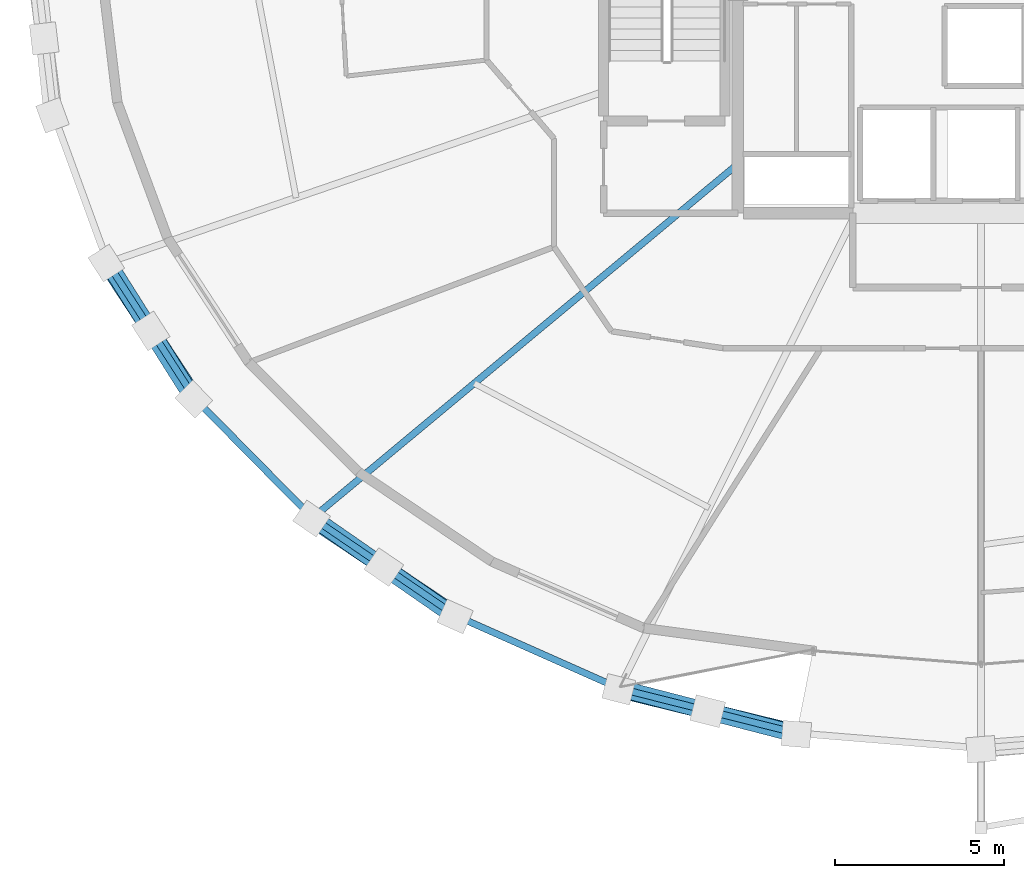
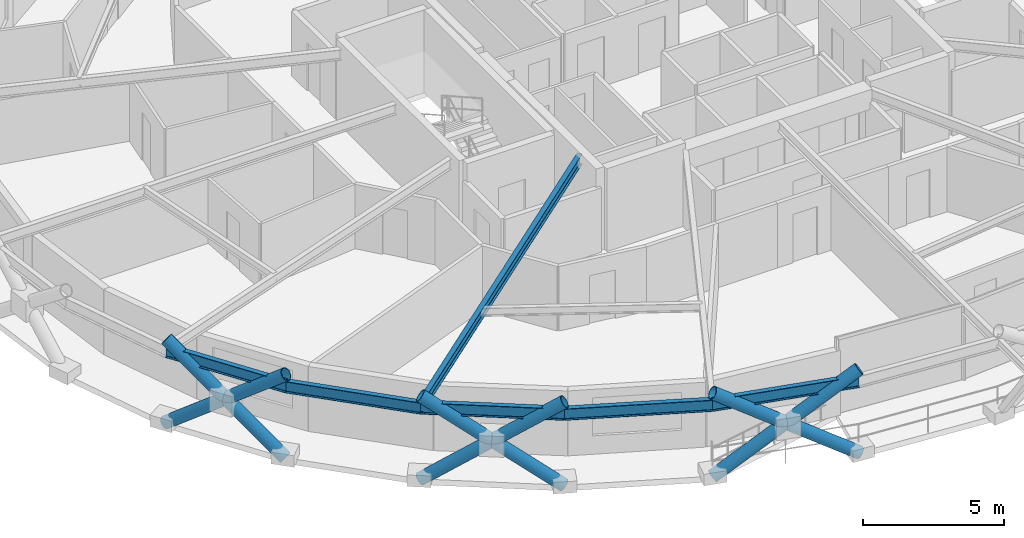
# One storey, part 1 of 20: 9 members, 6 beams.
"""IFC4 building model written with IfcOpenShell, lengths in metres."""

from ifc_helpers import new_model, si_unit, direction, frame, origin, origin_2d, place, context, subcontext, project, spatial, hollow_circle, i_section, extrude, material, material_profile, profile_set, type_object, element, save


model = new_model("IFC4")

# Units and contexts
model_context = context("Model", 3, precision=1e-05, world=origin(), true_north=direction((0.0, 1.0)))
body_context = subcontext(model_context, "Body", "Model", "MODEL_VIEW")
ifc_project = project(units=[si_unit("LENGTHUNIT", "METRE"), si_unit("AREAUNIT", "SQUARE_METRE"), si_unit("VOLUMEUNIT", "CUBIC_METRE"), si_unit("PLANEANGLEUNIT", "RADIAN"), si_unit("MASSUNIT", "GRAM", prefix="KILO")], contexts=[model_context])

# Site, building, storey
site_placement = place(None, origin())
site = spatial("IfcSite", under=ifc_project, at=site_placement, CompositionType="ELEMENT")
building_placement = place(site_placement, origin())
building = spatial("IfcBuilding", under=site, at=building_placement, Name="Veldorina Hangang Commons", CompositionType="ELEMENT")
storey_placement = place(building_placement, frame((0.0, 0.0, 171.199951171875)))
storey = spatial("IfcBuildingStorey", under=building, at=storey_placement, Name="L44", CompositionType="ELEMENT", Elevation=171.199951171875)

# Beams
ifc_material_1 = material(Name="Steel SM355-TMC", Category="steel")
ifc_material_profile_1 = material_profile(ifc_material_1, i_section(OverallWidth=0.199951171875, OverallDepth=0.449951171875, WebThickness=0.009033203125, FlangeThickness=0.013916015625, FilletRadius=0.01611328125, at=origin_2d()), Name="H-450x200x9x14")
ifc_profile_set_1 = profile_set([ifc_material_profile_1], Name="Steel SM355-TMC")
beam_type_1 = type_object("IfcBeamType", Name="BM-FG450", PredefinedType="BEAM", material=ifc_profile_set_1)
beam_1_placement = place(storey_placement, frame((24.800048828125, 18.0087890625, 3.125), z_axis=(-0.768681197579, -0.639632094636, 0.0), x_axis=(0.639632094636, -0.768681197579, 0.0)))
element("IfcBeam", 1, at=beam_1_placement, inside=storey, type_object=beam_type_1, Name="L44 radial floor girder 11", PredefinedType="BEAM", context=body_context, shape_type="SweptSolid", body=[
    extrude(i_section(OverallWidth=0.199951171875, OverallDepth=0.449951171875, WebThickness=0.009033203125, FlangeThickness=0.013916015625, FilletRadius=0.01611328125, at=origin_2d()), origin(), (0.0, 0.0, 1.0), 16.396484375),
])
ifc_material_2 = material(Name="Steel SM420-TMC", Category="steel")
ifc_material_profile_2 = material_profile(ifc_material_2, i_section(OverallWidth=0.199951171875, OverallDepth=0.5, WebThickness=0.010009765625, FlangeThickness=0.01611328125, FilletRadius=0.01611328125, at=origin_2d()), Name="H-500x200x10x16")
ifc_profile_set_2 = profile_set([ifc_material_profile_2], Name="Steel SM420-TMC")
beam_type_2 = type_object("IfcBeamType", Name="BM-RB500", PredefinedType="BEAM", material=ifc_profile_set_2)
beam_2_placement = place(storey_placement, frame((6.125244140625, 15.081787109375, 3.10009765625), z_axis=(0.540443205104, -0.841380497787, 0.0), x_axis=(0.841380497787, 0.540443205104, 0.0)))
element("IfcBeam", 2, at=beam_2_placement, inside=storey, type_object=beam_type_2, Name="L44 perimeter hoop ring beam 18", PredefinedType="BEAM", context=body_context, shape_type="SweptSolid", body=[
    extrude(i_section(OverallWidth=0.199951171875, OverallDepth=0.5, WebThickness=0.010009765625, FlangeThickness=0.01611328125, FilletRadius=0.01611328125, at=origin_2d()), origin(), (0.0, 0.0, 1.0), 4.788818359375),
])
beam_3_placement = place(storey_placement, frame((8.71337890625, 11.052490234375, 3.10009765625), z_axis=(0.702192292569, -0.711987348382, 0.0), x_axis=(0.711987348382, 0.702192292569, 0.0)))
element("IfcBeam", 3, at=beam_3_placement, inside=storey, type_object=beam_type_2, Name="L44 perimeter hoop ring beam 19", PredefinedType="BEAM", context=body_context, shape_type="SweptSolid", body=[
    extrude(i_section(OverallWidth=0.199951171875, OverallDepth=0.5, WebThickness=0.010009765625, FlangeThickness=0.01611328125, FilletRadius=0.01611328125, at=origin_2d()), origin(), (0.0, 0.0, 1.0), 4.9599609375),
])
beam_4_placement = place(storey_placement, frame((12.1962890625, 7.52099609375, 3.10009765625), z_axis=(0.82580799699, -0.563951373886, 0.0), x_axis=(0.563951373886, 0.82580799699, 0.0)))
element("IfcBeam", 4, at=beam_4_placement, inside=storey, type_object=beam_type_2, Name="L44 perimeter hoop ring beam 20", PredefinedType="BEAM", context=body_context, shape_type="SweptSolid", body=[
    extrude(i_section(OverallWidth=0.199951171875, OverallDepth=0.5, WebThickness=0.010009765625, FlangeThickness=0.01611328125, FilletRadius=0.01611328125, at=origin_2d()), origin(), (0.0, 0.0, 1.0), 5.13916015625),
])
beam_5_placement = place(storey_placement, frame((16.440185546875, 4.622802734375, 3.10009765625), z_axis=(0.913710836046, -0.406364993685, 0.0), x_axis=(0.406364993685, 0.913710836046, 0.0)))
element("IfcBeam", 5, at=beam_5_placement, inside=storey, type_object=beam_type_2, Name="L44 perimeter hoop ring beam 21", PredefinedType="BEAM", context=body_context, shape_type="SweptSolid", body=[
    extrude(i_section(OverallWidth=0.199951171875, OverallDepth=0.5, WebThickness=0.010009765625, FlangeThickness=0.01611328125, FilletRadius=0.01611328125, at=origin_2d()), origin(), (0.0, 0.0, 1.0), 5.299560546875),
])
beam_6_placement = place(storey_placement, frame((21.282470703125, 2.46923828125, 3.10009765625), z_axis=(0.969586031209, -0.244750746853, 0.0), x_axis=(0.244750746853, 0.969586031209, 0.0)))
element("IfcBeam", 6, at=beam_6_placement, inside=storey, type_object=beam_type_2, Name="L44 perimeter hoop ring beam 22", PredefinedType="BEAM", context=body_context, shape_type="SweptSolid", body=[
    extrude(i_section(OverallWidth=0.199951171875, OverallDepth=0.5, WebThickness=0.010009765625, FlangeThickness=0.01611328125, FilletRadius=0.01611328125, at=origin_2d()), origin(), (0.0, 0.0, 1.0), 5.41845703125),
])

# Members
ifc_material_profile_3 = material_profile(ifc_material_2, hollow_circle(Radius=0.25, WallThickness=0.02490234375, at=origin_2d()), Name="CHS-500x25")
ifc_profile_set_3 = profile_set([ifc_material_profile_3], Name="Steel SM420-TMC")
member_type = type_object("IfcMemberType", Name="DG-CHS500", PredefinedType="BRACE", material=ifc_profile_set_3)
member_1_placement = place(storey_placement, frame((6.087158203125, 15.07080078125, 0.0), z_axis=(0.438563143336, -0.669154599406, 0.599912069725), x_axis=(0.836374310941, 0.548158747078, 0.0)))
element("IfcMember", 7, at=member_1_placement, inside=storey, type_object=member_type, Name="L44 continuous perimeter diagrid brace 18", PredefinedType="BRACE", context=body_context, shape_type="SweptSolid", body=[
    extrude(hollow_circle(Radius=0.25, WallThickness=0.02490234375, at=origin_2d()), origin(), (0.0, 0.0, 1.0), 6.0009765625),
])
member_2_placement = place(storey_placement, frame((8.67919921875, 11.03662109375, 0.0), z_axis=(-0.425742622907, 0.675987664516, 0.601484743333), x_axis=(-0.846164677124, -0.532921513158, 0.0)))
element("IfcMember", 8, at=member_2_placement, inside=storey, type_object=member_type, Name="L44 split perimeter diagrid lower brace 19", PredefinedType="BRACE", context=body_context, shape_type="SweptSolid", body=[
    extrude(hollow_circle(Radius=0.25, WallThickness=0.02490234375, at=origin_2d()), origin(), (0.0, 0.0, 1.0), 2.9951171875),
])
member_3_placement = place(storey_placement, frame((7.404052734375, 13.061279296875, 1.801513671875), z_axis=(-0.425560028693, 0.676177578681, 0.60140048559), x_axis=(-0.846335202585, -0.532650659311, 0.0)))
element("IfcMember", 9, at=member_3_placement, inside=storey, type_object=member_type, Name="L44 split perimeter diagrid upper brace 19", PredefinedType="BRACE", context=body_context, shape_type="SweptSolid", body=[
    extrude(hollow_circle(Radius=0.25, WallThickness=0.02490234375, at=origin_2d()), origin(), (0.0, 0.0, 1.0), 2.99072265625),
])
member_4_placement = place(storey_placement, frame((12.167236328125, 7.500732421875, 0.0), z_axis=(0.680391582846, -0.457219415074, 0.572728295505), x_axis=(0.557757921372, 0.830003675382, 0.0)))
element("IfcMember", 10, at=member_4_placement, inside=storey, type_object=member_type, Name="L44 continuous perimeter diagrid brace 20", PredefinedType="BRACE", context=body_context, shape_type="SweptSolid", body=[
    extrude(hollow_circle(Radius=0.25, WallThickness=0.02490234375, at=origin_2d()), origin(), (0.0, 0.0, 1.0), 6.285888671875),
])
member_5_placement = place(storey_placement, frame((16.41748046875, 4.598876953125, 0.0), z_axis=(-0.67267093455, 0.466581308878, 0.574295826223), x_axis=(-0.569941408012, -0.821685336022, 0.0)))
element("IfcMember", 11, at=member_5_placement, inside=storey, type_object=member_type, Name="L44 split perimeter diagrid lower brace 21", PredefinedType="BRACE", context=body_context, shape_type="SweptSolid", body=[
    extrude(hollow_circle(Radius=0.25, WallThickness=0.02490234375, at=origin_2d()), origin(), (0.0, 0.0, 1.0), 3.136962890625),
])
member_6_placement = place(storey_placement, frame((14.307373046875, 6.0625, 1.801513671875), z_axis=(-0.672563347593, 0.466772059039, 0.57426682681), x_axis=(-0.570160246293, -0.821533501172, 0.0)))
element("IfcMember", 12, at=member_6_placement, inside=storey, type_object=member_type, Name="L44 split perimeter diagrid upper brace 21", PredefinedType="BRACE", context=body_context, shape_type="SweptSolid", body=[
    extrude(hollow_circle(Radius=0.25, WallThickness=0.02490234375, at=origin_2d()), origin(), (0.0, 0.0, 1.0), 3.132080078125),
])
member_7_placement = place(storey_placement, frame((21.2666015625, 2.442626953125, 0.0), z_axis=(0.809287111733, -0.198816991229, 0.552744221844), x_axis=(0.238575342668, 0.971123990987, 0.0)))
element("IfcMember", 13, at=member_7_placement, inside=storey, type_object=member_type, Name="L44 continuous perimeter diagrid brace 22", PredefinedType="BRACE", context=body_context, shape_type="SweptSolid", body=[
    extrude(hollow_circle(Radius=0.25, WallThickness=0.02490234375, at=origin_2d()), origin(), (0.0, 0.0, 1.0), 6.51318359375),
])
member_8_placement = place(storey_placement, frame((26.528076171875, 1.11474609375, 0.0), z_axis=(-0.806192585807, 0.208918428536, 0.553540066127), x_axis=(-0.250855874673, -0.968024447079, 0.0)))
element("IfcMember", 14, at=member_8_placement, inside=storey, type_object=member_type, Name="L44 split perimeter diagrid lower brace 23", PredefinedType="BRACE", context=body_context, shape_type="SweptSolid", body=[
    extrude(hollow_circle(Radius=0.25, WallThickness=0.02490234375, at=origin_2d()), origin(), (0.0, 0.0, 1.0), 3.254638671875),
])
member_9_placement = place(storey_placement, frame((23.904296875, 1.794677734375, 1.801513671875), z_axis=(-0.806172137004, 0.20896306394, 0.553552999656), x_axis=(-0.250912059951, -0.968009885369, 0.0)))
element("IfcMember", 15, at=member_9_placement, inside=storey, type_object=member_type, Name="L44 split perimeter diagrid upper brace 23", PredefinedType="BRACE", context=body_context, shape_type="SweptSolid", body=[
    extrude(hollow_circle(Radius=0.25, WallThickness=0.02490234375, at=origin_2d()), origin(), (0.0, 0.0, 1.0), 3.249267578125),
])

save(model, "model.ifc")
